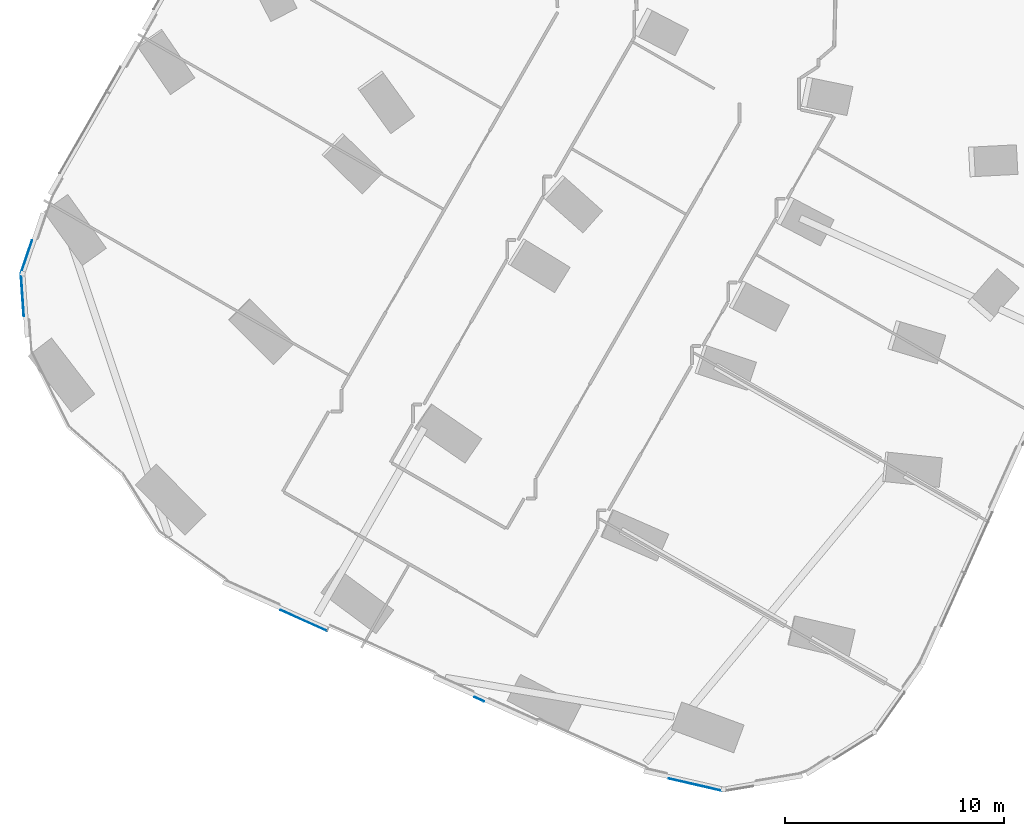
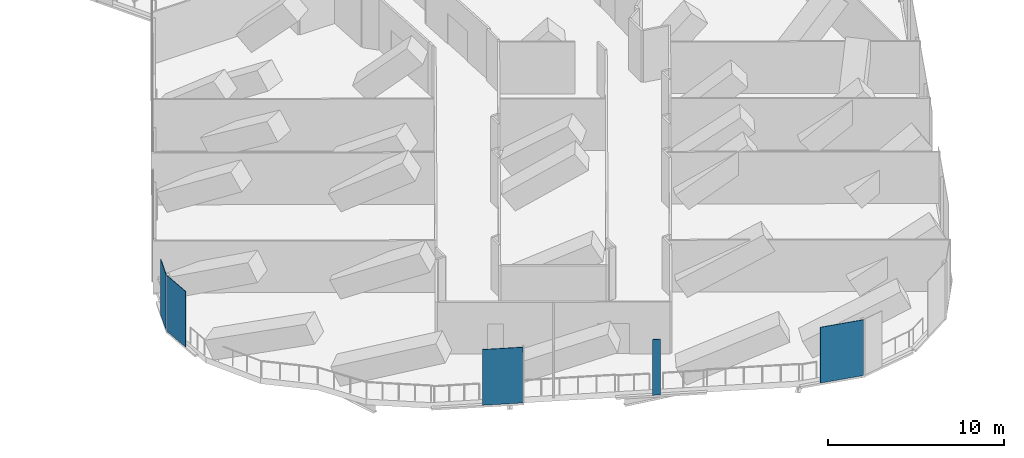
# One storey, part 18 of 37: 5 plates, 4 elements without a shape of their own.
"""IFC4 building model written with IfcOpenShell, lengths in metres."""

from ifc_helpers import new_model, si_unit, direction, frame, origin, origin_2d, place, context, subcontext, project, spatial, rectangle, extrude, material, layer, layer_set, type_object, element, aggregate, save


model = new_model("IFC4")

# Units and contexts
model_context = context("Model", 3, precision=1e-05, world=origin(), true_north=direction((0.0, 1.0)))
body_context = subcontext(model_context, "Body", "Model", "MODEL_VIEW")
ifc_project = project(units=[si_unit("LENGTHUNIT", "METRE"), si_unit("AREAUNIT", "SQUARE_METRE"), si_unit("VOLUMEUNIT", "CUBIC_METRE"), si_unit("PLANEANGLEUNIT", "RADIAN"), si_unit("MASSUNIT", "GRAM", prefix="KILO")], contexts=[model_context])

# Site, building, storey
site_placement = place(None, origin())
site = spatial("IfcSite", under=ifc_project, at=site_placement, CompositionType="ELEMENT")
building_placement = place(site_placement, origin())
building = spatial("IfcBuilding", under=site, at=building_placement, Name="Orlundy Tower", CompositionType="ELEMENT")
storey_placement = place(building_placement, frame((0.0, 0.0, 119.699951171875)))
storey = spatial("IfcBuildingStorey", under=building, at=storey_placement, Name="L30", CompositionType="ELEMENT", Elevation=119.699951171875)

# Curtain wall, plate
ifc_material_1 = material(Name="Aluminium bronze anodised", Category="aluminium")
curtain_wall_type = type_object("IfcCurtainWallType", Name="CW5 wall", PredefinedType="NOTDEFINED", material=ifc_material_1)
curtain_wall_1_placement = place(storey_placement, origin())
curtain_wall_1 = element("IfcCurtainWall", 1, at=curtain_wall_1_placement, inside=storey, type_object=curtain_wall_type, Name="CW5 run 034", PredefinedType="NOTDEFINED")
ifc_material_2 = material(Name="Tinted glass", Category="glass")
ifc_layer_1 = layer(ifc_material_2, 0.031982421875)
ifc_layer_set_1 = layer_set([ifc_layer_1], Name="CW5 glass panel 32")
plate_type_1 = type_object("IfcPlateType", Name="CW5 glass panel 32", PredefinedType="CURTAIN_PANEL", material=ifc_layer_set_1)
plate_1_placement = place(storey_placement, frame((-12.826171875, -60.226806640625, -0.259765625), z_axis=(0.0, 0.0, 1.0), x_axis=(-0.974658825104, 0.223696612955, 0.0)))
plate_1 = element("IfcPlate", 2, at=plate_1_placement, type_object=plate_type_1, Name="CW5 panel", PredefinedType="CURTAIN_PANEL", context=body_context, shape_type="SweptSolid", body=[
    extrude(rectangle(XDim=2.55419921875, YDim=0.031982421875, at=origin_2d()), origin(), (0.0, 0.0, 1.0), 3.860107421875),
])
aggregate(curtain_wall_1, [plate_1])

curtain_wall_2_placement = place(storey_placement, origin())
curtain_wall_2 = element("IfcCurtainWall", 3, at=curtain_wall_2_placement, inside=storey, type_object=curtain_wall_type, Name="CW5 run 035", PredefinedType="NOTDEFINED")
plate_2_placement = place(storey_placement, frame((-30.7109375, -52.732666015625, -0.259765625), z_axis=(0.0, 0.0, 1.0), x_axis=(-0.912366461182, 0.409374450241, 0.0)))
plate_2 = element("IfcPlate", 4, at=plate_2_placement, type_object=plate_type_1, Name="CW5 panel", PredefinedType="CURTAIN_PANEL", context=body_context, shape_type="SweptSolid", body=[
    extrude(rectangle(XDim=2.312255859375, YDim=0.031982421875, at=origin_2d()), origin(), (0.0, 0.0, 1.0), 3.860107421875),
])

curtain_wall_3_placement = place(storey_placement, origin())
curtain_wall_3 = element("IfcCurtainWall", 5, at=curtain_wall_3_placement, inside=storey, type_object=curtain_wall_type, Name="CW5 run 040", PredefinedType="NOTDEFINED")
plate_3_placement = place(storey_placement, frame((-43.524169921875, -37.893310546875, -0.259765625), z_axis=(0.0, 0.0, 1.0), x_axis=(-0.068255804988, 0.997667853088, 0.0)))
plate_3 = element("IfcPlate", 6, at=plate_3_placement, type_object=plate_type_1, Name="CW5 panel", PredefinedType="CURTAIN_PANEL", context=body_context, shape_type="SweptSolid", body=[
    extrude(rectangle(XDim=1.962890625, YDim=0.031982421875, at=origin_2d()), origin(), (0.0, 0.0, 1.0), 3.860107421875),
])
aggregate(curtain_wall_3, [plate_3])

curtain_wall_4_placement = place(storey_placement, origin())
curtain_wall_4 = element("IfcCurtainWall", 7, at=curtain_wall_4_placement, inside=storey, type_object=curtain_wall_type, Name="CW5 run 041", PredefinedType="NOTDEFINED")
plate_4_placement = place(storey_placement, frame((-43.337890625, -36.16162109375, -0.259765625), z_axis=(0.0, 0.0, 1.0), x_axis=(0.318815956268, 0.947816641566, 0.0)))
plate_4 = element("IfcPlate", 8, at=plate_4_placement, type_object=plate_type_1, Name="CW5 panel", PredefinedType="CURTAIN_PANEL", context=body_context, shape_type="SweptSolid", body=[
    extrude(rectangle(XDim=1.587646484375, YDim=0.031982421875, at=origin_2d()), origin(), (0.0, 0.0, 1.0), 3.860107421875),
])
aggregate(curtain_wall_4, [plate_4])

# Plate
ifc_material_3 = material(Name="Tinted glass", Category="glass")
ifc_layer_2 = layer(ifc_material_3, 0.031982421875)
ifc_layer_set_2 = layer_set([ifc_layer_2], Name="CW5 vent panel 32")
plate_type_2 = type_object("IfcPlateType", Name="CW5 vent panel 32", PredefinedType="CURTAIN_PANEL", material=ifc_layer_set_2)
plate_5_placement = place(storey_placement, frame((-22.704345703125, -56.3251953125, -0.259765625), z_axis=(0.0, 0.0, 1.0), x_axis=(-0.912366461182, 0.409374450241, 0.0)))
plate_5 = element("IfcPlate", 9, at=plate_5_placement, type_object=plate_type_2, Name="CW5 panel", PredefinedType="CURTAIN_PANEL", context=body_context, shape_type="SweptSolid", body=[
    extrude(rectangle(XDim=0.47216796875, YDim=0.031982421875, at=origin_2d()), origin(), (0.0, 0.0, 1.0), 3.860107421875),
])

aggregate(curtain_wall_2, [plate_5, plate_2])

save(model, "model.ifc")
